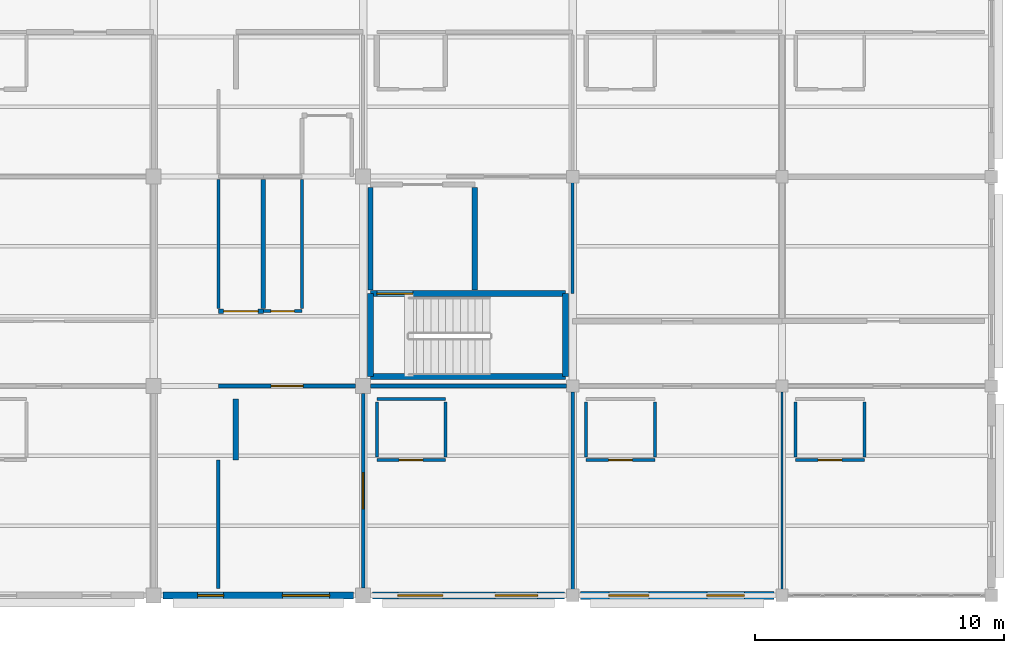
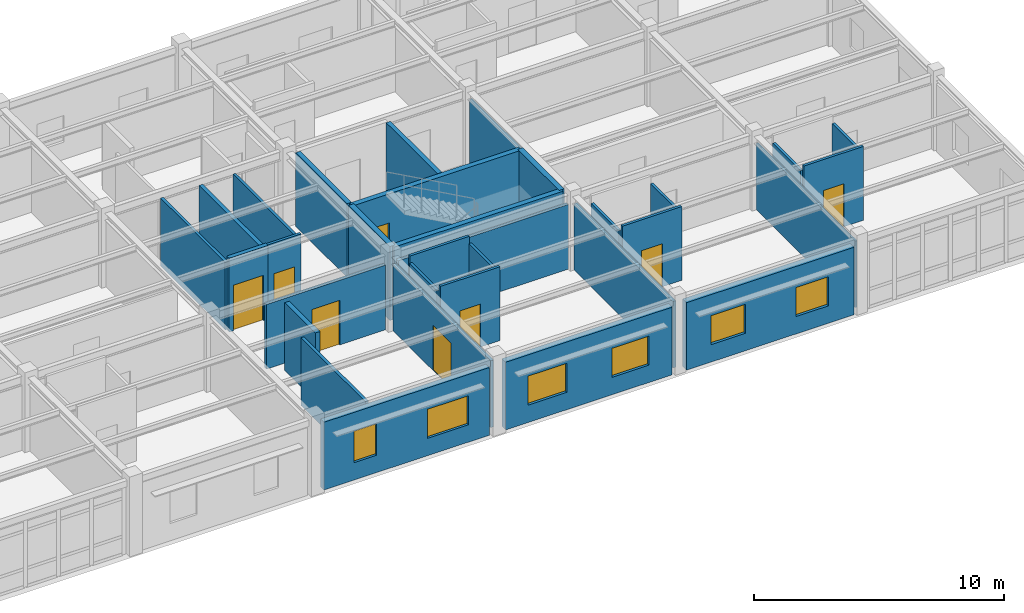
# One storey, part 65 of 86: 32 walls, 8 doors, 6 windows, 14 openings.
"""IFC4 building model written with IfcOpenShell, lengths in metres."""

import ifcopenshell
import ifcopenshell.guid

model = None  # the IFC model being written
_history = None  # IfcOwnerHistory: only IFC2X3 demands one
_inside = {}  # id of a spatial element -> (the spatial element, [elements in it])
_under = {}  # id of a project, library or spatial element -> (it, [spatial elements below it])
_declared = {}  # id of a project -> (the project, [libraries it declares])
_typed = {}  # id of a type object -> (the type object, [elements of that type])
_made_of = {}  # id of a material, layer set ... -> (it, [elements and type objects made of it])


def new_model(schema):
    """Start an empty IFC model of exactly this schema.

    Asked for "IFC4X3", IfcOpenShell would pick the latest addendum, in which some entities
    have other attributes; the version numbers below select the first issue.
    IFC2X3 requires an IfcOwnerHistory on every rooted entity: one is made here for all.
    """
    global model, _history
    if schema == "IFC4X3":
        model = ifcopenshell.file(schema_version=(4, 3, 0, 0))
    else:
        model = ifcopenshell.file(schema=schema)
    _inside.clear()
    _under.clear()
    _declared.clear()
    _typed.clear()
    _made_of.clear()
    _history = None
    if model.schema == "IFC2X3":
        org = make("IfcOrganization", Name="unknown")
        user = make(
            "IfcPersonAndOrganization",
            ThePerson=make("IfcPerson", FamilyName="unknown"),
            TheOrganization=org,
        )
        app = make(
            "IfcApplication",
            ApplicationDeveloper=org,
            Version="unknown",
            ApplicationFullName="unknown",
            ApplicationIdentifier="unknown",
        )
        _history = make(
            "IfcOwnerHistory",
            OwningUser=user,
            OwningApplication=app,
            ChangeAction="ADDED",
            CreationDate=0,
        )
    return model


def make(cls, **values):
    """One entity of the class cls with the attributes given. An attribute that is None is left unset."""
    return model.create_entity(
        cls, **{name: value for name, value in values.items() if value is not None}
    )


def rooted(cls, **values):
    """An entity with a GlobalId (a new one), such as an element, a storey or a relation."""
    return make(cls, GlobalId=ifcopenshell.guid.new(), OwnerHistory=_history, **values)


def si_unit(unit_type, name, prefix=None):
    """IfcSIUnit, for example si_unit("LENGTHUNIT", "METRE", prefix="MILLI")."""
    return make("IfcSIUnit", UnitType=unit_type, Prefix=prefix, Name=name)


def assignment(units):
    """IfcUnitAssignment: the units of a project."""
    return None if units is None else make("IfcUnitAssignment", Units=units)


def point(xyz):
    """IfcCartesianPoint."""
    return None if xyz is None else make("IfcCartesianPoint", Coordinates=xyz)


def direction(xyz):
    """IfcDirection."""
    return None if xyz is None else make("IfcDirection", DirectionRatios=xyz)


def frame(location, z_axis=None, x_axis=None):
    """IfcAxis2Placement3D, a coordinate frame: its origin and axes. An axis left out is left unset."""
    return make(
        "IfcAxis2Placement3D",
        Location=point(location),
        Axis=direction(z_axis),
        RefDirection=direction(x_axis),
    )


def frame_2d(location, x_axis=None):
    """IfcAxis2Placement2D, a coordinate frame in the plane: its origin and x axis."""
    return make(
        "IfcAxis2Placement2D", Location=point(location), RefDirection=direction(x_axis)
    )


def origin():
    """The frame at (0, 0, 0) with its axes left unset."""
    return frame((0.0, 0.0, 0.0))


def place(relative_to, where):
    """IfcLocalPlacement: puts the frame where relative to a parent placement (None: the world)."""
    return make(
        "IfcLocalPlacement", PlacementRelTo=relative_to, RelativePlacement=where
    )


def context(
    kind, dimensions, precision=None, world=None, true_north=None, identifier=None
):
    """IfcGeometricRepresentationContext, for example the 3D "Model" context."""
    return make(
        "IfcGeometricRepresentationContext",
        ContextIdentifier=identifier,
        ContextType=kind,
        CoordinateSpaceDimension=dimensions,
        Precision=precision,
        WorldCoordinateSystem=world,
        TrueNorth=true_north,
    )


def subcontext(parent, identifier, kind, view, scale=None):
    """IfcGeometricRepresentationSubContext, for example "Body" below "Model"."""
    return make(
        "IfcGeometricRepresentationSubContext",
        ContextIdentifier=identifier,
        ContextType=kind,
        ParentContext=parent,
        TargetScale=scale,
        TargetView=view,
    )


def project(units=None, contexts=None):
    """IfcProject with its units and contexts."""
    return rooted(
        "IfcProject",
        Name="project",
        RepresentationContexts=contexts,
        UnitsInContext=assignment(units),
    )


def spatial(cls, under=None, at=None, **own):
    """A site, building, storey or space (cls), placed at a placement, below another one or the project."""
    s = rooted(cls, ObjectPlacement=at, **own)
    if under is not None:
        _under.setdefault(under.id(), (under, []))[1].append(s)
    return s


def profile(cls, at=None, kind="AREA", **sizes):
    """A parametric profile (cls). Its sizes go by their IFC names, for example OverallWidth=200.0."""
    return make(cls, ProfileType=kind, Position=at, **sizes)


def rectangle(**sizes):
    """IfcRectangleProfileDef."""
    return profile("IfcRectangleProfileDef", **sizes)


def extrude(swept, where, along, depth):
    """IfcExtrudedAreaSolid: the profile swept, set in the frame where, extruded along a direction by depth."""
    return make(
        "IfcExtrudedAreaSolid",
        SweptArea=swept,
        Position=where,
        ExtrudedDirection=direction(along),
        Depth=depth,
    )


def shape(context_of_items, identifier, shape_type, items):
    """IfcShapeRepresentation: the items that make up one representation, for example the "Body"."""
    return make(
        "IfcShapeRepresentation",
        ContextOfItems=context_of_items,
        RepresentationIdentifier=identifier,
        RepresentationType=shape_type,
        Items=items,
    )


def material(Name=None, Category=None):
    """IfcMaterial."""
    return make("IfcMaterial", Name=Name, Category=Category)


def layer(
    of_material, thickness, ventilated=None, Name=None, Category=None, Priority=None
):
    """IfcMaterialLayer: one layer of a wall or slab, of a material (None: an air gap)."""
    return make(
        "IfcMaterialLayer",
        Material=of_material,
        LayerThickness=thickness,
        IsVentilated=ventilated,
        Name=Name,
        Category=Category,
        Priority=Priority,
    )


def layer_set(layers, Name=None):
    """IfcMaterialLayerSet."""
    return make("IfcMaterialLayerSet", MaterialLayers=layers, LayerSetName=Name)


def made_of(thing, what):
    """Note that an element or type object is made of a material, layer set ...; save() writes the relation."""
    if what is not None:
        _made_of.setdefault(what.id(), (what, []))[1].append(thing)
    return thing


def type_object(cls, material=None, **own):
    """A type object (cls), such as IfcWallType, which elements share."""
    return made_of(rooted(cls, **own), material)


def element(
    cls,
    number,
    at=None,
    inside=None,
    cuts=None,
    type_object=None,
    material=None,
    context=None,
    identifier="Body",
    shape_type=None,
    held_by="IfcProductDefinitionShape",
    body=None,
    shapes=None,
    **own,
):
    """One element of the class cls, such as IfcWall. Its Tag is "e" and its number.

    at: its placement. inside: the storey or other place that contains it. cuts: it is an
    opening in that element (IfcRelVoidsElement). A single representation is given by context,
    identifier, shape_type and body (its items); several are given by shapes. held_by: the class
    of the entity that holds the representations. save() writes the other relations.
    """
    e = rooted(cls, Tag="e%d" % number, ObjectPlacement=at, **own)
    if body is not None:
        shapes = [shape(context, identifier, shape_type, body)]
    if shapes is not None:
        e.Representation = make(held_by, Representations=shapes)
    if inside is not None:
        _inside.setdefault(inside.id(), (inside, []))[1].append(e)
    if cuts is not None:
        rooted(
            "IfcRelVoidsElement", RelatingBuildingElement=cuts, RelatedOpeningElement=e
        )
    if type_object is not None:
        _typed.setdefault(type_object.id(), (type_object, []))[1].append(e)
    return made_of(e, material)


def fill(opening, filler):
    """IfcRelFillsElement: the door or window that sits in an opening."""
    return rooted(
        "IfcRelFillsElement",
        RelatingOpeningElement=opening,
        RelatedBuildingElement=filler,
    )


def aggregate(whole, parts):
    """IfcRelAggregates: a whole, such as a stair, and the parts it consists of."""
    return rooted("IfcRelAggregates", RelatingObject=whole, RelatedObjects=parts)


def save(model, path):
    """Write the relations noted so far, then the file.

    IfcRelAggregates (storeys below a building ...), IfcRelContainedInSpatialStructure (elements
    in a storey), IfcRelDefinesByType, IfcRelAssociatesMaterial and IfcRelDeclares: one each for
    every whole, place, type object, material and project.
    """
    for whole, parts in _under.values():
        aggregate(whole, parts)
    for where, things in _inside.values():
        rooted(
            "IfcRelContainedInSpatialStructure",
            RelatedElements=things,
            RelatingStructure=where,
        )
    for kind, things in _typed.values():
        rooted("IfcRelDefinesByType", RelatedObjects=things, RelatingType=kind)
    for what, things in _made_of.values():
        rooted("IfcRelAssociatesMaterial", RelatedObjects=things, RelatingMaterial=what)
    for by, libraries in _declared.values():
        rooted("IfcRelDeclares", RelatingContext=by, RelatedDefinitions=libraries)
    model.write(path)


model = new_model("IFC4")

# Units and contexts
model_context = context("Model", 3, precision=1e-05, world=origin(), true_north=direction((0.0, 1.0)))
body_context = subcontext(model_context, "Body", "Model", "MODEL_VIEW")
ifc_project = project(units=[si_unit("LENGTHUNIT", "METRE"), si_unit("AREAUNIT", "SQUARE_METRE"), si_unit("VOLUMEUNIT", "CUBIC_METRE"), si_unit("PLANEANGLEUNIT", "RADIAN"), si_unit("MASSUNIT", "GRAM", prefix="KILO")], contexts=[model_context])

# Site, building, storey
site_placement = place(None, origin())
site = spatial("IfcSite", under=ifc_project, at=site_placement, CompositionType="ELEMENT")
building_placement = place(site_placement, origin())
building = spatial("IfcBuilding", under=site, at=building_placement, Name="Bramfleet General Hospital", CompositionType="ELEMENT")
storey_placement = place(building_placement, frame((0.0, 0.0, 18.60009765625)))
storey = spatial("IfcBuildingStorey", under=building, at=storey_placement, Name="L04", CompositionType="ELEMENT", Elevation=18.60009765625)

# Wall, openings, windows
ifc_material_1 = material(Name="Precast concrete C40/50", Category="concrete")
ifc_layer_1 = layer(ifc_material_1, 0.31494140625, Name="WT-EW-04")
ifc_layer_set_1 = layer_set([ifc_layer_1], Name="Precast concrete C40/50")
wall_type_1 = type_object("IfcWallType", Name="WT-EW-04", PredefinedType="SOLIDWALL", material=ifc_layer_set_1)
wall_1_placement = place(storey_placement, frame((159.27490234375, 0.0, 0.0), z_axis=(0.0, 0.0, 1.0), x_axis=(-1.0, 0.0, 0.0)))
wall_1 = element("IfcWall", 1, at=wall_1_placement, inside=storey, type_object=wall_type_1, Name="L04 Exterior Wall 317", PredefinedType="SOLIDWALL", context=body_context, shape_type="SweptSolid", body=[
    extrude(rectangle(XDim=7.75, YDim=0.31494140625, at=frame_2d((3.875, 0.0))), origin(), (0.0, 0.0, 1.0), 3.2998046875),
])
opening_1_placement = place(wall_1_placement, frame((1.1875, 0.0, 0.85009765625)))
opening_1 = element("IfcOpeningElement", 2, at=opening_1_placement, cuts=wall_1, Name="Opening W-16", PredefinedType="OPENING", context=body_context, shape_type="SweptSolid", body=[
    extrude(rectangle(XDim=1.5, YDim=1.419921875, at=frame_2d((0.75, 0.7099609375))), frame((0.0, 0.16748046875, 0.0), z_axis=(0.0, -1.0, 0.0), x_axis=(1.0, 0.0, 0.0)), (0.0, 0.0, 1.0), 0.3349609375),
])
opening_2_placement = place(wall_1_placement, frame((5.012451171875, 0.0, 0.85009765625)))
opening_2 = element("IfcOpeningElement", 3, at=opening_2_placement, cuts=wall_1, Name="Opening W-17", PredefinedType="OPENING", context=body_context, shape_type="SweptSolid", body=[
    extrude(rectangle(XDim=1.60009765625, YDim=1.419921875, at=frame_2d((0.800048828125, 0.7099609375))), frame((0.0, 0.16748046875, 0.0), z_axis=(0.0, -1.0, 0.0), x_axis=(1.0, 0.0, 0.0)), (0.0, 0.0, 1.0), 0.3349609375),
])
ifc_material_2 = material(Name="Anodised aluminium and low-E triple glazing", Category="aluminium")
window_type_1 = type_object("IfcWindowType", Name="WIN-W-16", PartitioningType="SINGLE_PANEL", PredefinedType="WINDOW", material=ifc_material_2)
window_1_placement = place(opening_1_placement, origin())
window_1 = element("IfcWindow", 4, at=window_1_placement, inside=storey, type_object=window_type_1, Name="L04 Facade Window WIN-L04-317-1", OverallHeight=1.419921875, OverallWidth=1.5, PartitioningType="SINGLE_PANEL", PredefinedType="WINDOW", context=body_context, shape_type="SweptSolid", body=[
    extrude(rectangle(XDim=1.5, YDim=1.419921875, at=frame_2d((0.75, 0.7099609375))), frame((0.0, 0.030029296875, 0.0), z_axis=(0.0, -1.0, 0.0), x_axis=(1.0, 0.0, 0.0)), (0.0, 0.0, 1.0), 0.06005859375),
])
fill(opening_1, window_1)
window_type_2 = type_object("IfcWindowType", Name="WIN-W-17", PartitioningType="SINGLE_PANEL", PredefinedType="WINDOW", material=ifc_material_2)
window_2_placement = place(opening_2_placement, origin())
window_2 = element("IfcWindow", 5, at=window_2_placement, inside=storey, type_object=window_type_2, Name="L04 Facade Window WIN-L04-317-2", OverallHeight=1.419921875, OverallWidth=1.60009765625, PartitioningType="SINGLE_PANEL", PredefinedType="WINDOW", context=body_context, shape_type="SweptSolid", body=[
    extrude(rectangle(XDim=1.60009765625, YDim=1.419921875, at=frame_2d((0.800048828125, 0.7099609375))), frame((0.0, 0.030029296875, 0.0), z_axis=(0.0, -1.0, 0.0), x_axis=(1.0, 0.0, 0.0)), (0.0, 0.0, 1.0), 0.06005859375),
])
fill(opening_2, window_2)

ifc_layer_2 = layer(ifc_material_1, 0.294921875, Name="WT-EW-05")
ifc_layer_set_2 = layer_set([ifc_layer_2], Name="Precast concrete C40/50")
wall_type_2 = type_object("IfcWallType", Name="WT-EW-05", PredefinedType="SOLIDWALL", material=ifc_layer_set_2)
wall_2_placement = place(storey_placement, frame((150.875, 0.0, 0.0), z_axis=(0.0, 0.0, 1.0), x_axis=(-1.0, 0.0, 0.0)))
wall_2 = element("IfcWall", 6, at=wall_2_placement, inside=storey, type_object=wall_type_2, Name="L04 Exterior Wall 318", PredefinedType="SOLIDWALL", context=body_context, shape_type="SweptSolid", body=[
    extrude(rectangle(XDim=7.699951171875, YDim=0.294921875, at=frame_2d((3.85009765625, 0.0))), origin(), (0.0, 0.0, 1.0), 3.309814453125),
])
opening_3_placement = place(wall_2_placement, frame((1.074951171875, 0.0, 0.85009765625)))
opening_3 = element("IfcOpeningElement", 7, at=opening_3_placement, cuts=wall_2, Name="Opening W-18", PredefinedType="OPENING", context=body_context, shape_type="SweptSolid", body=[
    extrude(rectangle(XDim=1.699951171875, YDim=1.419921875, at=frame_2d((0.85009765625, 0.7099609375))), frame((0.0, 0.157470703125, 0.0), z_axis=(0.0, -1.0, 0.0), x_axis=(1.0, 0.0, 0.0)), (0.0, 0.0, 1.0), 0.31494140625),
])
opening_4_placement = place(wall_2_placement, frame((4.875, 0.0, 0.85009765625)))
opening_4 = element("IfcOpeningElement", 8, at=opening_4_placement, cuts=wall_2, Name="Opening W-19", PredefinedType="OPENING", context=body_context, shape_type="SweptSolid", body=[
    extrude(rectangle(XDim=1.800048828125, YDim=1.419921875, at=frame_2d((0.89990234375, 0.7099609375))), frame((0.0, 0.157470703125, 0.0), z_axis=(0.0, -1.0, 0.0), x_axis=(1.0, 0.0, 0.0)), (0.0, 0.0, 1.0), 0.31494140625),
])
window_type_3 = type_object("IfcWindowType", Name="WIN-W-18", PartitioningType="SINGLE_PANEL", PredefinedType="WINDOW", material=ifc_material_2)
window_3_placement = place(opening_3_placement, origin())
window_3 = element("IfcWindow", 9, at=window_3_placement, inside=storey, type_object=window_type_3, Name="L04 Facade Window WIN-L04-318-1", OverallHeight=1.419921875, OverallWidth=1.699951171875, PartitioningType="SINGLE_PANEL", PredefinedType="WINDOW", context=body_context, shape_type="SweptSolid", body=[
    extrude(rectangle(XDim=1.699951171875, YDim=1.419921875, at=frame_2d((0.85009765625, 0.7099609375))), frame((0.0, 0.030029296875, 0.0), z_axis=(0.0, -1.0, 0.0), x_axis=(1.0, 0.0, 0.0)), (0.0, 0.0, 1.0), 0.06005859375),
])
fill(opening_3, window_3)
window_type_4 = type_object("IfcWindowType", Name="WIN-W-19", PartitioningType="SINGLE_PANEL", PredefinedType="WINDOW", material=ifc_material_2)
window_4_placement = place(opening_4_placement, origin())
window_4 = element("IfcWindow", 10, at=window_4_placement, inside=storey, type_object=window_type_4, Name="L04 Facade Window WIN-L04-318-2", OverallHeight=1.419921875, OverallWidth=1.800048828125, PartitioningType="SINGLE_PANEL", PredefinedType="WINDOW", context=body_context, shape_type="SweptSolid", body=[
    extrude(rectangle(XDim=1.800048828125, YDim=1.419921875, at=frame_2d((0.89990234375, 0.7099609375))), frame((0.0, 0.030029296875, 0.0), z_axis=(0.0, -1.0, 0.0), x_axis=(1.0, 0.0, 0.0)), (0.0, 0.0, 1.0), 0.06005859375),
])
fill(opening_4, window_4)

ifc_layer_3 = layer(ifc_material_1, 0.280029296875, Name="WT-EW-06")
ifc_layer_set_3 = layer_set([ifc_layer_3], Name="Precast concrete C40/50")
wall_type_3 = type_object("IfcWallType", Name="WT-EW-06", PredefinedType="SOLIDWALL", material=ifc_layer_set_3)
wall_3_placement = place(storey_placement, frame((142.425048828125, 0.0, 0.0), z_axis=(0.0, 0.0, 1.0), x_axis=(-1.0, 0.0, 0.0)))
wall_3 = element("IfcWall", 11, at=wall_3_placement, inside=storey, type_object=wall_type_3, Name="L04 Exterior Wall 319", PredefinedType="SOLIDWALL", context=body_context, shape_type="SweptSolid", body=[
    extrude(rectangle(XDim=7.650146484375, YDim=0.280029296875, at=frame_2d((3.8251953125, 0.0))), origin(), (0.0, 0.0, 1.0), 3.309814453125),
])
opening_5_placement = place(wall_3_placement, frame((0.96240234375, 0.0, 0.85009765625)))
opening_5 = element("IfcOpeningElement", 12, at=opening_5_placement, cuts=wall_3, Name="Opening W-20", PredefinedType="OPENING", context=body_context, shape_type="SweptSolid", body=[
    extrude(rectangle(XDim=1.89990234375, YDim=1.419921875, at=frame_2d((0.949951171875, 0.7099609375))), frame((0.0, 0.14990234375, 0.0), z_axis=(0.0, -1.0, 0.0), x_axis=(1.0, 0.0, 0.0)), (0.0, 0.0, 1.0), 0.300048828125),
])
opening_6_placement = place(wall_3_placement, frame((5.21240234375, 0.0, 0.85009765625)))
opening_6 = element("IfcOpeningElement", 13, at=opening_6_placement, cuts=wall_3, Name="Opening W-21", PredefinedType="OPENING", context=body_context, shape_type="SweptSolid", body=[
    extrude(rectangle(XDim=1.050048828125, YDim=1.5400390625, at=frame_2d((0.52490234375, 0.77001953125))), frame((0.0, 0.14990234375, 0.0), z_axis=(0.0, -1.0, 0.0), x_axis=(1.0, 0.0, 0.0)), (0.0, 0.0, 1.0), 0.300048828125),
])
window_type_5 = type_object("IfcWindowType", Name="WIN-W-20", PartitioningType="SINGLE_PANEL", PredefinedType="WINDOW", material=ifc_material_2)
window_5_placement = place(opening_5_placement, origin())
window_5 = element("IfcWindow", 14, at=window_5_placement, inside=storey, type_object=window_type_5, Name="L04 Facade Window WIN-L04-319-1", OverallHeight=1.419921875, OverallWidth=1.89990234375, PartitioningType="SINGLE_PANEL", PredefinedType="WINDOW", context=body_context, shape_type="SweptSolid", body=[
    extrude(rectangle(XDim=1.89990234375, YDim=1.419921875, at=frame_2d((0.949951171875, 0.7099609375))), frame((0.0, 0.030029296875, 0.0), z_axis=(0.0, -1.0, 0.0), x_axis=(1.0, 0.0, 0.0)), (0.0, 0.0, 1.0), 0.06005859375),
])
fill(opening_5, window_5)
window_type_6 = type_object("IfcWindowType", Name="WIN-W-21", PartitioningType="SINGLE_PANEL", PredefinedType="WINDOW", material=ifc_material_2)
window_6_placement = place(opening_6_placement, origin())
window_6 = element("IfcWindow", 15, at=window_6_placement, inside=storey, type_object=window_type_6, Name="L04 Facade Window WIN-L04-319-2", OverallHeight=1.5400390625, OverallWidth=1.050048828125, PartitioningType="SINGLE_PANEL", PredefinedType="WINDOW", context=body_context, shape_type="SweptSolid", body=[
    extrude(rectangle(XDim=1.050048828125, YDim=1.5400390625, at=frame_2d((0.52490234375, 0.77001953125))), frame((0.0, 0.030029296875, 0.0), z_axis=(0.0, -1.0, 0.0), x_axis=(1.0, 0.0, 0.0)), (0.0, 0.0, 1.0), 0.06005859375),
])
fill(opening_6, window_6)

# Walls
ifc_material_3 = material(Name="Concrete C35/45", Category="concrete")
ifc_layer_4 = layer(ifc_material_3, 0.219970703125, Name="WT-IW-01")
ifc_layer_set_4 = layer_set([ifc_layer_4], Name="Concrete C35/45")
wall_type_4 = type_object("IfcWallType", Name="WT-IW-01", PredefinedType="PARTITIONING", material=ifc_layer_set_4)
wall_4_placement = place(storey_placement, frame((137.699951171875, 5.429931640625, 0.0), z_axis=(0.0, 0.0, 1.0), x_axis=(0.0, 1.0, 0.0)))
element("IfcWall", 16, at=wall_4_placement, inside=storey, type_object=wall_type_4, Name="L04 Interior Partition IW-L04-3445", PredefinedType="PARTITIONING", context=body_context, shape_type="SweptSolid", body=[
    extrude(rectangle(XDim=2.449951171875, YDim=0.219970703125, at=frame_2d((1.22509765625, 0.0))), origin(), (0.0, 0.0, 1.0), 3.309814453125),
])
ifc_layer_5 = layer(ifc_material_3, 0.205078125, Name="WT-IW-02")
ifc_layer_set_5 = layer_set([ifc_layer_5], Name="Concrete C35/45")
wall_type_5 = type_object("IfcWallType", Name="WT-IW-02", PredefinedType="PARTITIONING", material=ifc_layer_set_5)
for number, where, z_axis, x_axis, name in (
    (17, (147.280029296875, 12.239990234375, 0.0), (0.0, 0.0, 1.0), (0.0, 1.0, 0.0), "L04 C10 Lobby East Shaft Wall"),
    (18, (143.10009765625, 12.239990234375, 0.0), (0.0, 0.0, 1.0), (0.0, 1.0, 0.0), "L04 C10 Lobby West Compartment Wall"),
):
    element("IfcWall", number, at=place(storey_placement, frame(where, z_axis=z_axis, x_axis=x_axis)), inside=storey, type_object=wall_type_5, Name=name, PredefinedType="PARTITIONING", context=body_context, shape_type="SweptSolid", body=[
        extrude(rectangle(XDim=4.1201171875, YDim=0.205078125, at=frame_2d((2.06005859375, 0.0))), origin(), (0.0, 0.0, 1.0), 3.60986328125),
    ])

# Wall, opening, door
ifc_layer_6 = layer(ifc_material_3, 0.18994140625, Name="WT-IW-03")
ifc_layer_set_6 = layer_set([ifc_layer_6], Name="Concrete C35/45")
wall_type_6 = type_object("IfcWallType", Name="WT-IW-03", PredefinedType="PARTITIONING", material=ifc_layer_set_6)
wall_5_placement = place(storey_placement, frame((137.0, 11.39990234375, 0.0), z_axis=(0.0, 0.0, 1.0), x_axis=(1.0, 0.0, 0.0)))
wall_5 = element("IfcWall", 19, at=wall_5_placement, inside=storey, type_object=wall_type_6, Name="L04 Interior Partition IW-L04-3099", PredefinedType="PARTITIONING", context=body_context, shape_type="SweptSolid", body=[
    extrude(rectangle(XDim=1.800048828125, YDim=0.18994140625, at=frame_2d((0.89990234375, 0.0))), origin(), (0.0, 0.0, 1.0), 3.60986328125),
])
opening_7_placement = place(wall_5_placement, frame((0.2099609375, 0.0, 0.0)))
opening_7 = element("IfcOpeningElement", 20, at=opening_7_placement, cuts=wall_5, Name="Opening D1310", PredefinedType="OPENING", context=body_context, shape_type="SweptSolid", body=[
    extrude(rectangle(XDim=1.3798828125, YDim=2.219970703125, at=frame_2d((0.68994140625, 1.10986328125))), frame((0.0, 0.10498046875, 0.0), z_axis=(0.0, -1.0, 0.0), x_axis=(1.0, 0.0, 0.0)), (0.0, 0.0, 1.0), 0.2099609375),
])
ifc_material_4 = material(Name="Stainless steel and acoustic timber leaf", Category="steel")
door_type_1 = type_object("IfcDoorType", Name="DR-D-30", OperationType="NOTDEFINED", PredefinedType="DOOR", material=ifc_material_4)
door_1_placement = place(opening_7_placement, origin())
door_1 = element("IfcDoor", 21, at=door_1_placement, inside=storey, type_object=door_type_1, Name="Clean Medication and Treatment Room L04-1601 Door D1310", OperationType="SINGLE_SWING_LEFT", OverallHeight=2.219970703125, OverallWidth=1.3798828125, PredefinedType="DOOR", context=body_context, shape_type="SweptSolid", body=[
    extrude(rectangle(XDim=1.3798828125, YDim=2.219970703125, at=frame_2d((0.68994140625, 1.10986328125))), frame((0.0, 0.02490234375, 0.0), z_axis=(0.0, -1.0, 0.0), x_axis=(1.0, 0.0, 0.0)), (0.0, 0.0, 1.0), 0.050048828125),
])
fill(opening_7, door_1)

# Wall
ifc_layer_7 = layer(ifc_material_3, 0.179931640625, Name="WT-IW-04")
ifc_layer_set_7 = layer_set([ifc_layer_7], Name="Concrete C35/45")
wall_type_7 = type_object("IfcWallType", Name="WT-IW-04", PredefinedType="PARTITIONING", material=ifc_layer_set_7)
wall_6_placement = place(storey_placement, frame((138.800048828125, 11.514892578125, 0.0), z_axis=(0.0, 0.0, 1.0), x_axis=(0.0, 1.0, 0.0)))
element("IfcWall", 22, at=wall_6_placement, inside=storey, type_object=wall_type_7, Name="L04 Interior Partition IW-L04-3448", PredefinedType="PARTITIONING", context=body_context, shape_type="SweptSolid", body=[
    extrude(rectangle(XDim=5.170166015625, YDim=0.179931640625, at=frame_2d((2.5849609375, 0.0))), origin(), (0.0, 0.0, 1.0), 3.309814453125),
])

# Wall, opening, door
ifc_material_5 = material(Name="Gypsum plasterboard on acoustic steel studs", Category="steel")
ifc_layer_8 = layer(ifc_material_5, 0.169921875, Name="WT-IW-05")
ifc_layer_set_8 = layer_set([ifc_layer_8], Name="Gypsum plasterboard on acoustic steel studs")
wall_type_8 = type_object("IfcWallType", Name="WT-IW-05", PredefinedType="PARTITIONING", material=ifc_layer_set_8)
wall_7_placement = place(storey_placement, frame((137.0, 8.39990234375, 0.0), z_axis=(0.0, 0.0, 1.0), x_axis=(1.0, 0.0, 0.0)))
wall_7 = element("IfcWall", 23, at=wall_7_placement, inside=storey, type_object=wall_type_8, Name="L04 Interior Partition IW-L04-3089", PredefinedType="PARTITIONING", context=body_context, shape_type="SweptSolid", body=[
    extrude(rectangle(XDim=5.5048828125, YDim=0.169921875, at=frame_2d((2.75244140625, 0.0))), origin(), (0.0, 0.0, 1.0), 3.159912109375),
])
opening_8_placement = place(wall_7_placement, frame((2.112548828125, 0.0, 0.0)))
opening_8 = element("IfcOpeningElement", 24, at=opening_8_placement, cuts=wall_7, Name="Opening D1309", PredefinedType="OPENING", context=body_context, shape_type="SweptSolid", body=[
    extrude(rectangle(XDim=1.280029296875, YDim=2.179931640625, at=frame_2d((0.64013671875, 1.08984375))), frame((0.0, 0.094970703125, 0.0), z_axis=(0.0, -1.0, 0.0), x_axis=(1.0, 0.0, 0.0)), (0.0, 0.0, 1.0), 0.18994140625),
])
door_type_2 = type_object("IfcDoorType", Name="DR-D-29", OperationType="NOTDEFINED", PredefinedType="DOOR", material=ifc_material_4)
door_2_placement = place(opening_8_placement, origin())
door_2 = element("IfcDoor", 25, at=door_2_placement, inside=storey, type_object=door_type_2, Name="Surgical Inpatient Ward Bedroom L04-1600 Door D1309", OperationType="SINGLE_SWING_RIGHT", OverallHeight=2.179931640625, OverallWidth=1.280029296875, PredefinedType="DOOR", context=body_context, shape_type="SweptSolid", body=[
    extrude(rectangle(XDim=1.280029296875, YDim=2.179931640625, at=frame_2d((0.64013671875, 1.08984375))), frame((0.0, 0.02490234375, 0.0), z_axis=(0.0, -1.0, 0.0), x_axis=(1.0, 0.0, 0.0)), (0.0, 0.0, 1.0), 0.050048828125),
])
fill(opening_8, door_2)

# Walls
ifc_layer_9 = layer(ifc_material_5, 0.159912109375, Name="WT-IW-06")
ifc_layer_set_9 = layer_set([ifc_layer_9], Name="Gypsum plasterboard on acoustic steel studs")
wall_type_9 = type_object("IfcWallType", Name="WT-IW-06", PredefinedType="PARTITIONING", material=ifc_layer_set_9)
wall_8_placement = place(storey_placement, frame((143.094970703125, 8.39990234375, 0.0), z_axis=(0.0, 0.0, 1.0), x_axis=(1.0, 0.0, 0.0)))
element("IfcWall", 26, at=wall_8_placement, inside=storey, type_object=wall_type_9, Name="L04 Interior Partition IW-L04-3090", PredefinedType="PARTITIONING", context=body_context, shape_type="SweptSolid", body=[
    extrude(rectangle(XDim=7.860107421875, YDim=0.159912109375, at=frame_2d((3.93017578125, 0.0))), origin(), (0.0, 0.0, 1.0), 3.159912109375),
])
ifc_layer_10 = layer(ifc_material_5, 0.139892578125, Name="WT-IW-08")
ifc_layer_set_10 = layer_set([ifc_layer_10], Name="Gypsum plasterboard on acoustic steel studs")
wall_type_10 = type_object("IfcWallType", Name="WT-IW-08", PredefinedType="PARTITIONING", material=ifc_layer_set_10)
wall_9_placement = place(storey_placement, frame((137.0, 0.280029296875, 0.0), z_axis=(0.0, 0.0, 1.0), x_axis=(0.0, 1.0, 0.0)))
element("IfcWall", 27, at=wall_9_placement, inside=storey, type_object=wall_type_10, Name="L04 Interior Partition IW-L04-3440", PredefinedType="PARTITIONING", context=body_context, shape_type="SweptSolid", body=[
    extrude(rectangle(XDim=5.14990234375, YDim=0.139892578125, at=frame_2d((2.574951171875, 0.0))), origin(), (0.0, 0.0, 1.0), 3.309814453125),
])

# Wall, opening, door
wall_10_placement = place(storey_placement, frame((142.800048828125, 0.294921875, 0.0), z_axis=(0.0, 0.0, 1.0), x_axis=(0.0, 1.0, 0.0)))
wall_10 = element("IfcWall", 28, at=wall_10_placement, inside=storey, type_object=wall_type_10, Name="L04 Interior Partition IW-L04-3452", PredefinedType="PARTITIONING", context=body_context, shape_type="SweptSolid", body=[
    extrude(rectangle(XDim=7.81005859375, YDim=0.139892578125, at=frame_2d((3.905029296875, 0.0))), origin(), (0.0, 0.0, 1.0), 3.260009765625),
])
opening_9_placement = place(wall_10_placement, frame((3.179931640625, 0.0, 0.0)))
opening_9 = element("IfcOpeningElement", 29, at=opening_9_placement, cuts=wall_10, Name="Opening D1315", PredefinedType="OPENING", context=body_context, shape_type="SweptSolid", body=[
    extrude(rectangle(XDim=1.449951171875, YDim=2.199951171875, at=frame_2d((0.72509765625, 1.10009765625))), frame((0.0, 0.079833984375, 0.0), z_axis=(0.0, -1.0, 0.0), x_axis=(1.0, 0.0, 0.0)), (0.0, 0.0, 1.0), 0.159912109375),
])
door_type_3 = type_object("IfcDoorType", Name="DR-D-03", OperationType="NOTDEFINED", PredefinedType="DOOR", material=ifc_material_4)
door_3_placement = place(opening_9_placement, origin())
door_3 = element("IfcDoor", 30, at=door_3_placement, inside=storey, type_object=door_type_3, Name="Surgical Inpatient Ward Bedroom L04-1700 Door D1315", OperationType="SINGLE_SWING_RIGHT", OverallHeight=2.199951171875, OverallWidth=1.449951171875, PredefinedType="DOOR", context=body_context, shape_type="SweptSolid", body=[
    extrude(rectangle(XDim=1.449951171875, YDim=2.199951171875, at=frame_2d((0.72509765625, 1.10009765625))), frame((0.0, 0.02490234375, 0.0), z_axis=(0.0, -1.0, 0.0), x_axis=(1.0, 0.0, 0.0)), (0.0, 0.0, 1.0), 0.050048828125),
])
fill(opening_9, door_3)

# Walls
wall_11_placement = place(storey_placement, frame((151.199951171875, 0.2451171875, 0.0), z_axis=(0.0, 0.0, 1.0), x_axis=(0.0, 1.0, 0.0)))
element("IfcWall", 31, at=wall_11_placement, inside=storey, type_object=wall_type_10, Name="L04 Interior Partition IW-L04-3464", PredefinedType="PARTITIONING", context=body_context, shape_type="SweptSolid", body=[
    extrude(rectangle(XDim=7.909912109375, YDim=0.139892578125, at=frame_2d((3.955078125, 0.0))), origin(), (0.0, 0.0, 1.0), 3.25),
])
ifc_layer_11 = layer(ifc_material_5, 0.1298828125, Name="WT-IW-09")
ifc_layer_set_11 = layer_set([ifc_layer_11], Name="Gypsum plasterboard on acoustic steel studs")
wall_type_11 = type_object("IfcWallType", Name="WT-IW-09", PredefinedType="PARTITIONING", material=ifc_layer_set_11)
wall_12_placement = place(storey_placement, frame((137.0, 11.514892578125, 0.0), z_axis=(0.0, 0.0, 1.0), x_axis=(0.0, 1.0, 0.0)))
element("IfcWall", 32, at=wall_12_placement, inside=storey, type_object=wall_type_11, Name="L04 Interior Partition IW-L04-3441", PredefinedType="PARTITIONING", context=body_context, shape_type="SweptSolid", body=[
    extrude(rectangle(XDim=5.170166015625, YDim=0.1298828125, at=frame_2d((2.5849609375, 0.0))), origin(), (0.0, 0.0, 1.0), 3.309814453125),
])
wall_13_placement = place(storey_placement, frame((151.199951171875, 12.10009765625, 0.0), z_axis=(0.0, 0.0, 1.0), x_axis=(0.0, 1.0, 0.0)))
element("IfcWall", 33, at=wall_13_placement, inside=storey, type_object=wall_type_11, Name="L04 Interior Partition IW-L04-3465", PredefinedType="PARTITIONING", context=body_context, shape_type="SweptSolid", body=[
    extrude(rectangle(XDim=4.454833984375, YDim=0.1298828125, at=frame_2d((2.2275390625, 0.0))), origin(), (0.0, 0.0, 1.0), 3.25),
])

# Wall, opening, door
ifc_layer_12 = layer(ifc_material_5, 0.1201171875, Name="WT-IW-10")
ifc_layer_set_12 = layer_set([ifc_layer_12], Name="Gypsum plasterboard on acoustic steel studs")
wall_type_12 = type_object("IfcWallType", Name="WT-IW-10", PredefinedType="PARTITIONING", material=ifc_layer_set_12)
wall_14_placement = place(storey_placement, frame((143.35009765625, 5.429931640625, 0.0), z_axis=(0.0, 0.0, 1.0), x_axis=(1.0, 0.0, 0.0)))
wall_14 = element("IfcWall", 34, at=wall_14_placement, inside=storey, type_object=wall_type_12, Name="L04 Interior Partition IW-L04-3074", PredefinedType="PARTITIONING", context=body_context, shape_type="SweptSolid", body=[
    extrude(rectangle(XDim=2.75, YDim=0.1201171875, at=frame_2d((1.375, 0.0))), origin(), (0.0, 0.0, 1.0), 3.60986328125),
])
opening_10_placement = place(wall_14_placement, frame((0.89990234375, 0.0, 0.0)))
opening_10 = element("IfcOpeningElement", 35, at=opening_10_placement, cuts=wall_14, Name="Opening D1316", PredefinedType="OPENING", context=body_context, shape_type="SweptSolid", body=[
    extrude(rectangle(XDim=0.949951171875, YDim=2.10009765625, at=frame_2d((0.47509765625, 1.050048828125))), frame((0.0, 0.070068359375, 0.0), z_axis=(0.0, -1.0, 0.0), x_axis=(1.0, 0.0, 0.0)), (0.0, 0.0, 1.0), 0.14013671875),
])
door_type_4 = type_object("IfcDoorType", Name="DR-D-10", OperationType="NOTDEFINED", PredefinedType="DOOR", material=ifc_material_4)
door_4_placement = place(opening_10_placement, origin())
door_4 = element("IfcDoor", 36, at=door_4_placement, inside=storey, type_object=door_type_4, Name="En-Suite Bathroom L04-1700 Door D1316", OperationType="SINGLE_SWING_LEFT", OverallHeight=2.10009765625, OverallWidth=0.949951171875, PredefinedType="DOOR", context=body_context, shape_type="SweptSolid", body=[
    extrude(rectangle(XDim=0.949951171875, YDim=2.10009765625, at=frame_2d((0.47509765625, 1.050048828125))), frame((0.0, 0.02490234375, 0.0), z_axis=(0.0, -1.0, 0.0), x_axis=(1.0, 0.0, 0.0)), (0.0, 0.0, 1.0), 0.050048828125),
])
fill(opening_10, door_4)

wall_15_placement = place(storey_placement, frame((151.75, 5.429931640625, 0.0), z_axis=(0.0, 0.0, 1.0), x_axis=(1.0, 0.0, 0.0)))
wall_15 = element("IfcWall", 37, at=wall_15_placement, inside=storey, type_object=wall_type_12, Name="L04 Interior Partition IW-L04-3075", PredefinedType="PARTITIONING", context=body_context, shape_type="SweptSolid", body=[
    extrude(rectangle(XDim=2.75, YDim=0.1201171875, at=frame_2d((1.375, 0.0))), origin(), (0.0, 0.0, 1.0), 3.60986328125),
])
opening_11_placement = place(wall_15_placement, frame((0.89990234375, 0.0, 0.0)))
opening_11 = element("IfcOpeningElement", 38, at=opening_11_placement, cuts=wall_15, Name="Opening D1325", PredefinedType="OPENING", context=body_context, shape_type="SweptSolid", body=[
    extrude(rectangle(XDim=0.949951171875, YDim=2.10009765625, at=frame_2d((0.47509765625, 1.050048828125))), frame((0.0, 0.070068359375, 0.0), z_axis=(0.0, -1.0, 0.0), x_axis=(1.0, 0.0, 0.0)), (0.0, 0.0, 1.0), 0.14013671875),
])
door_5_placement = place(opening_11_placement, origin())
door_5 = element("IfcDoor", 39, at=door_5_placement, inside=storey, type_object=door_type_4, Name="En-Suite Bathroom L04-1800 Door D1325", OperationType="SINGLE_SWING_LEFT", OverallHeight=2.10009765625, OverallWidth=0.949951171875, PredefinedType="DOOR", context=body_context, shape_type="SweptSolid", body=[
    extrude(rectangle(XDim=0.949951171875, YDim=2.10009765625, at=frame_2d((0.47509765625, 1.050048828125))), frame((0.0, 0.02490234375, 0.0), z_axis=(0.0, -1.0, 0.0), x_axis=(1.0, 0.0, 0.0)), (0.0, 0.0, 1.0), 0.050048828125),
])
fill(opening_11, door_5)

wall_16_placement = place(storey_placement, frame((160.14990234375, 5.429931640625, 0.0), z_axis=(0.0, 0.0, 1.0), x_axis=(1.0, 0.0, 0.0)))
wall_16 = element("IfcWall", 40, at=wall_16_placement, inside=storey, type_object=wall_type_12, Name="L04 Interior Partition IW-L04-3076", PredefinedType="PARTITIONING", context=body_context, shape_type="SweptSolid", body=[
    extrude(rectangle(XDim=2.75, YDim=0.1201171875, at=frame_2d((1.375, 0.0))), origin(), (0.0, 0.0, 1.0), 3.60986328125),
])
opening_12_placement = place(wall_16_placement, frame((0.89990234375, 0.0, 0.0)))
opening_12 = element("IfcOpeningElement", 41, at=opening_12_placement, cuts=wall_16, Name="Opening D1335", PredefinedType="OPENING", context=body_context, shape_type="SweptSolid", body=[
    extrude(rectangle(XDim=0.949951171875, YDim=2.10009765625, at=frame_2d((0.47509765625, 1.050048828125))), frame((0.0, 0.070068359375, 0.0), z_axis=(0.0, -1.0, 0.0), x_axis=(1.0, 0.0, 0.0)), (0.0, 0.0, 1.0), 0.14013671875),
])
door_6_placement = place(opening_12_placement, origin())
door_6 = element("IfcDoor", 42, at=door_6_placement, inside=storey, type_object=door_type_4, Name="En-Suite Bathroom L04-1900 Door D1335", OperationType="SINGLE_SWING_LEFT", OverallHeight=2.10009765625, OverallWidth=0.949951171875, PredefinedType="DOOR", context=body_context, shape_type="SweptSolid", body=[
    extrude(rectangle(XDim=0.949951171875, YDim=2.10009765625, at=frame_2d((0.47509765625, 1.050048828125))), frame((0.0, 0.02490234375, 0.0), z_axis=(0.0, -1.0, 0.0), x_axis=(1.0, 0.0, 0.0)), (0.0, 0.0, 1.0), 0.050048828125),
])
fill(opening_12, door_6)

# Wall
wall_17_placement = place(storey_placement, frame((143.35009765625, 7.8798828125, 0.0), z_axis=(0.0, 0.0, 1.0), x_axis=(1.0, 0.0, 0.0)))
element("IfcWall", 43, at=wall_17_placement, inside=storey, type_object=wall_type_12, Name="L04 Interior Partition IW-L04-3081", PredefinedType="PARTITIONING", context=body_context, shape_type="SweptSolid", body=[
    extrude(rectangle(XDim=2.75, YDim=0.1201171875, at=frame_2d((1.375, 0.0))), origin(), (0.0, 0.0, 1.0), 3.60986328125),
])

# Wall, opening, door
wall_18_placement = place(storey_placement, frame((138.800048828125, 11.39990234375, 0.0), z_axis=(0.0, 0.0, 1.0), x_axis=(1.0, 0.0, 0.0)))
wall_18 = element("IfcWall", 44, at=wall_18_placement, inside=storey, type_object=wall_type_12, Name="L04 Interior Partition IW-L04-3100", PredefinedType="PARTITIONING", context=body_context, shape_type="SweptSolid", body=[
    extrude(rectangle(XDim=1.550048828125, YDim=0.1201171875, at=frame_2d((0.77490234375, 0.0))), origin(), (0.0, 0.0, 1.0), 3.60986328125),
])
opening_13_placement = place(wall_18_placement, frame((0.300048828125, 0.0, 0.0)))
opening_13 = element("IfcOpeningElement", 45, at=opening_13_placement, cuts=wall_18, Name="Opening D1311", PredefinedType="OPENING", context=body_context, shape_type="SweptSolid", body=[
    extrude(rectangle(XDim=0.949951171875, YDim=2.10009765625, at=frame_2d((0.47509765625, 1.050048828125))), frame((0.0, 0.070068359375, 0.0), z_axis=(0.0, -1.0, 0.0), x_axis=(1.0, 0.0, 0.0)), (0.0, 0.0, 1.0), 0.14013671875),
])
door_7_placement = place(opening_13_placement, origin())
door_7 = element("IfcDoor", 46, at=door_7_placement, inside=storey, type_object=door_type_4, Name="L04 Accessible and Staff WC 1601 Door D1311", OperationType="SINGLE_SWING_LEFT", OverallHeight=2.10009765625, OverallWidth=0.949951171875, PredefinedType="DOOR", context=body_context, shape_type="SweptSolid", body=[
    extrude(rectangle(XDim=0.949951171875, YDim=2.10009765625, at=frame_2d((0.47509765625, 1.050048828125))), frame((0.0, 0.02490234375, 0.0), z_axis=(0.0, -1.0, 0.0), x_axis=(1.0, 0.0, 0.0)), (0.0, 0.0, 1.0), 0.050048828125),
])
fill(opening_13, door_7)

# Walls
wall_19_placement = place(storey_placement, frame((140.35009765625, 11.514892578125, 0.0), z_axis=(0.0, 0.0, 1.0), x_axis=(0.0, 1.0, 0.0)))
element("IfcWall", 47, at=wall_19_placement, inside=storey, type_object=wall_type_12, Name="L04 Interior Partition IW-L04-3449", PredefinedType="PARTITIONING", context=body_context, shape_type="SweptSolid", body=[
    extrude(rectangle(XDim=5.170166015625, YDim=0.1201171875, at=frame_2d((2.5849609375, 0.0))), origin(), (0.0, 0.0, 1.0), 3.309814453125),
])
for number, where, z_axis, x_axis, name in (
    (48, (143.35009765625, 5.544921875, 0.0), (0.0, 0.0, 1.0), (0.0, 1.0, 0.0), "L04 Interior Partition IW-L04-3457"),
    (49, (146.10009765625, 5.544921875, 0.0), (0.0, 0.0, 1.0), (0.0, 1.0, 0.0), "L04 Interior Partition IW-L04-3460"),
):
    element("IfcWall", number, at=place(storey_placement, frame(where, z_axis=z_axis, x_axis=x_axis)), inside=storey, type_object=wall_type_12, Name=name, PredefinedType="PARTITIONING", context=body_context, shape_type="SweptSolid", body=[
        extrude(rectangle(XDim=2.219970703125, YDim=0.1201171875, at=frame_2d((1.10986328125, 0.0))), origin(), (0.0, 0.0, 1.0), 3.309814453125),
    ])
for number, where, z_axis, x_axis, name in (
    (50, (151.75, 5.544921875, 0.0), (0.0, 0.0, 1.0), (0.0, 1.0, 0.0), "L04 Interior Partition IW-L04-3472"),
    (51, (154.5, 5.544921875, 0.0), (0.0, 0.0, 1.0), (0.0, 1.0, 0.0), "L04 Interior Partition IW-L04-3476"),
    (52, (160.14990234375, 5.544921875, 0.0), (0.0, 0.0, 1.0), (0.0, 1.0, 0.0), "L04 Interior Partition IW-L04-3486"),
    (53, (162.89990234375, 5.544921875, 0.0), (0.0, 0.0, 1.0), (0.0, 1.0, 0.0), "L04 Interior Partition IW-L04-3490"),
):
    element("IfcWall", number, at=place(storey_placement, frame(where, z_axis=z_axis, x_axis=x_axis)), inside=storey, type_object=wall_type_12, Name=name, PredefinedType="PARTITIONING", context=body_context, shape_type="SweptSolid", body=[
        extrude(rectangle(XDim=2.219970703125, YDim=0.1201171875, at=frame_2d((1.10986328125, 0.0))), origin(), (0.0, 0.0, 1.0), 3.2998046875),
    ])
ifc_layer_13 = layer(ifc_material_5, 0.10009765625, Name="WT-IW-12")
ifc_layer_set_13 = layer_set([ifc_layer_13], Name="Gypsum plasterboard on acoustic steel studs")
wall_type_13 = type_object("IfcWallType", Name="WT-IW-12", PredefinedType="PARTITIONING", material=ifc_layer_set_13)
wall_20_placement = place(storey_placement, frame((159.60009765625, 0.2451171875, 0.0), z_axis=(0.0, 0.0, 1.0), x_axis=(0.0, 1.0, 0.0)))
element("IfcWall", 54, at=wall_20_placement, inside=storey, type_object=wall_type_13, Name="L04 Interior Partition IW-L04-3480", PredefinedType="PARTITIONING", context=body_context, shape_type="SweptSolid", body=[
    extrude(rectangle(XDim=7.909912109375, YDim=0.10009765625, at=frame_2d((3.955078125, 0.0))), origin(), (0.0, 0.0, 1.0), 3.25),
])
ifc_material_6 = material(Name="Concrete C40/50", Category="concrete")
ifc_layer_14 = layer(ifc_material_6, 0.239990234375, Name="WT-SW-240")
ifc_layer_set_14 = layer_set([ifc_layer_14], Name="Concrete C40/50")
wall_type_14 = type_object("IfcWallType", Name="WT-SW-240", PredefinedType="SHEAR", material=ifc_layer_set_14)
wall_21_placement = place(storey_placement, frame((143.10009765625, 8.780029296875, 0.0), z_axis=(0.0, 0.0, 1.0), x_axis=(1.0, 0.0, 0.0)))
element("IfcWall", 55, at=wall_21_placement, inside=storey, type_object=wall_type_14, Name="L04 C10 South Stair Shear Wall", PredefinedType="SHEAR", context=body_context, shape_type="SweptSolid", body=[
    extrude(rectangle(XDim=7.81982421875, YDim=0.239990234375, at=frame_2d((3.909912109375, 0.0))), origin(), (0.0, 0.0, 1.0), 3.619873046875),
])
for number, where, z_axis, x_axis, name in (
    (56, (143.10009765625, 8.780029296875, 0.0), (0.0, 0.0, 1.0), (0.0, 1.0, 0.0), "L04 C10 West Stair Shear Wall"),
    (57, (150.919921875, 8.780029296875, 0.0), (0.0, 0.0, 1.0), (0.0, 1.0, 0.0), "L04 C10 East Stair Shear Wall"),
):
    element("IfcWall", number, at=place(storey_placement, frame(where, z_axis=z_axis, x_axis=x_axis)), inside=storey, type_object=wall_type_14, Name=name, PredefinedType="SHEAR", context=body_context, shape_type="SweptSolid", body=[
        extrude(rectangle(XDim=3.320068359375, YDim=0.239990234375, at=frame_2d((1.66015625, 0.0))), origin(), (0.0, 0.0, 1.0), 3.619873046875),
    ])

# Wall, opening, door
wall_22_placement = place(storey_placement, frame((143.10009765625, 12.10009765625, 0.0), z_axis=(0.0, 0.0, 1.0), x_axis=(1.0, 0.0, 0.0)))
wall_22 = element("IfcWall", 58, at=wall_22_placement, inside=storey, type_object=wall_type_14, Name="L04 C10 Stair-Lobby Shear Wall", PredefinedType="SHEAR", context=body_context, shape_type="SweptSolid", body=[
    extrude(rectangle(XDim=7.81982421875, YDim=0.239990234375, at=frame_2d((3.909912109375, 0.0))), origin(), (0.0, 0.0, 1.0), 3.619873046875),
])
opening_14_placement = place(wall_22_placement, frame((0.25, 0.0, 0.0)))
opening_14 = element("IfcOpeningElement", 59, at=opening_14_placement, cuts=wall_22, Name="Opening D0133", PredefinedType="OPENING", context=body_context, shape_type="SweptSolid", body=[
    extrude(rectangle(XDim=1.449951171875, YDim=2.199951171875, at=frame_2d((0.72509765625, 1.10009765625))), frame((0.0, 0.1298828125, 0.0), z_axis=(0.0, -1.0, 0.0), x_axis=(1.0, 0.0, 0.0)), (0.0, 0.0, 1.0), 0.260009765625),
])
door_8_placement = place(opening_14_placement, origin())
door_8 = element("IfcDoor", 60, at=door_8_placement, inside=storey, type_object=door_type_3, Name="L04 C10 Escape Stair Fire Door D0133", OperationType="SINGLE_SWING_RIGHT", OverallHeight=2.199951171875, OverallWidth=1.449951171875, PredefinedType="DOOR", context=body_context, shape_type="SweptSolid", body=[
    extrude(rectangle(XDim=1.449951171875, YDim=2.199951171875, at=frame_2d((0.72509765625, 1.10009765625))), frame((0.0, 0.02490234375, 0.0), z_axis=(0.0, -1.0, 0.0), x_axis=(1.0, 0.0, 0.0)), (0.0, 0.0, 1.0), 0.050048828125),
])
fill(opening_14, door_8)

save(model, "model.ifc")
